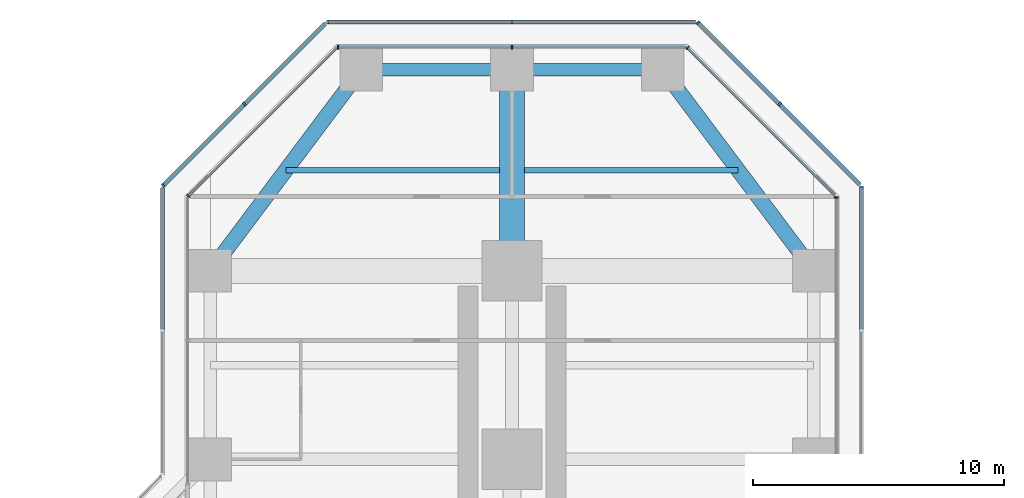
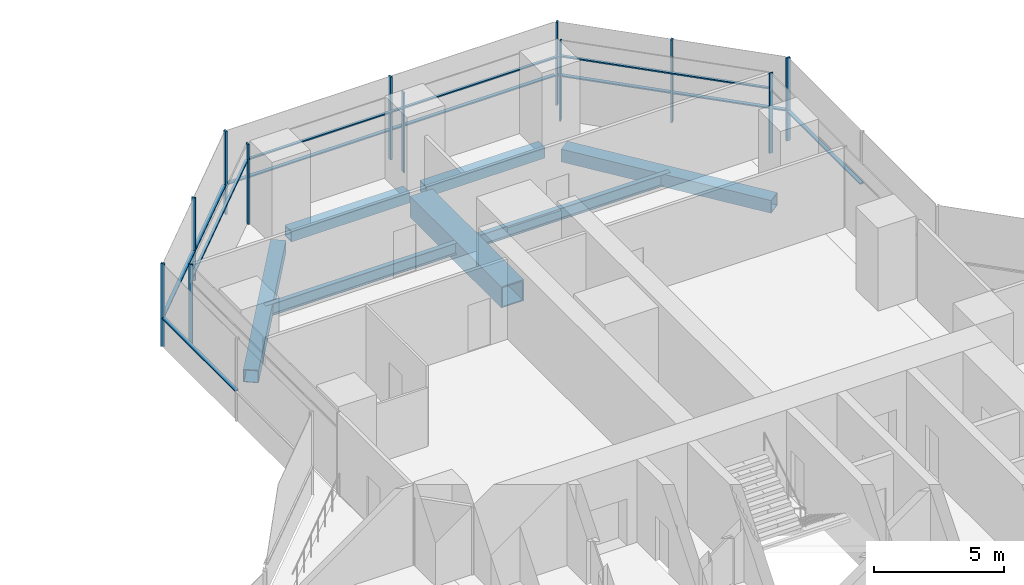
# One storey, part 13 of 22: 24 members, 7 beams, 9 elements without a shape of their own.
"""IFC4 building model written with IfcOpenShell, lengths in metres."""

from ifc_helpers import new_model, si_unit, direction, frame, origin, origin_2d, place, context, subcontext, project, spatial, rectangle, hollow_rectangle, i_section, extrude, material, material_profile, profile_set, type_object, element, aggregate, save


model = new_model("IFC4")

# Units and contexts
model_context = context("Model", 3, precision=1e-05, world=origin(), true_north=direction((0.0, 1.0)))
body_context = subcontext(model_context, "Body", "Model", "MODEL_VIEW")
ifc_project = project(units=[si_unit("LENGTHUNIT", "METRE"), si_unit("AREAUNIT", "SQUARE_METRE"), si_unit("VOLUMEUNIT", "CUBIC_METRE"), si_unit("PLANEANGLEUNIT", "RADIAN"), si_unit("MASSUNIT", "GRAM", prefix="KILO")], contexts=[model_context])

# Site, building, storey
site_placement = place(None, origin())
site = spatial("IfcSite", under=ifc_project, at=site_placement, CompositionType="ELEMENT")
building_placement = place(site_placement, origin())
building = spatial("IfcBuilding", under=site, at=building_placement, Name="Mizan Broadcast Tower", CompositionType="ELEMENT")
storey_placement = place(building_placement, frame((0.0, 0.0, 47.39990234375)))
storey = spatial("IfcBuildingStorey", under=building, at=storey_placement, Name="L08", CompositionType="ELEMENT", Elevation=47.39990234375)

# Beams
ifc_material_1 = material(Name="Steel S355", Category="steel")
ifc_material_profile_1 = material_profile(ifc_material_1, hollow_rectangle(XDim=0.5, YDim=0.5, WallThickness=0.030029296875, at=origin_2d()), Name="BOX 500x500x30")
ifc_profile_set_1 = profile_set([ifc_material_profile_1], Name="Steel S355")
beam_type_1 = type_object("IfcBeamType", Name="EDGE BEAM BOX 500x500x30", PredefinedType="SPANDREL", material=ifc_profile_set_1)
for number, where, z_axis, x_axis, name in (
    (1, (5.639892578125, 35.0, -0.3798828125), (-1.0, 0.0, 0.0), (0.0, -1.0, 0.0), "Edge beam BOX 500x500x30 L08 north arm"),
    (2, (-5.639892578125, 35.0, -0.3798828125), (1.0, 0.0, 0.0), (0.0, 1.0, 0.0), "Edge beam BOX 500x500x30 L08 north arm"),
):
    element("IfcBeam", number, at=place(storey_placement, frame(where, z_axis=z_axis, x_axis=x_axis)), inside=storey, type_object=beam_type_1, Name=name, PredefinedType="SPANDREL", context=body_context, shape_type="SweptSolid", body=[
        extrude(hollow_rectangle(XDim=0.5, YDim=0.5, WallThickness=0.030029296875, at=origin_2d()), origin(), (0.0, 0.0, 1.0), 5.27978515625),
    ])
ifc_material_2 = material(Name="Steel S355", Category="steel")
ifc_material_profile_2 = material_profile(ifc_material_2, hollow_rectangle(XDim=0.60009765625, YDim=0.60009765625, WallThickness=0.030029296875, at=origin_2d()), Name="BOX 600x600x30")
ifc_profile_set_2 = profile_set([ifc_material_profile_2], Name="Steel S355")
beam_type_2 = type_object("IfcBeamType", Name="EDGE BEAM BOX 600x600x30", PredefinedType="SPANDREL", material=ifc_profile_set_2)
for number, where, z_axis, x_axis, name in (
    (3, (11.639892578125, 27.47998046875, -0.429931640625), (-0.599982243973, 0.800013316712, 0.0), (-0.800013316712, -0.599982243973, 0.0), "Edge beam BOX 600x600x30 L08 north arm"),
    (4, (-11.639892578125, 27.47998046875, -0.429931640625), (0.599982243973, 0.800013316712, 0.0), (-0.800013316712, 0.599982243973, 0.0), "Edge beam BOX 600x600x30 L08 north arm"),
):
    element("IfcBeam", number, at=place(storey_placement, frame(where, z_axis=z_axis, x_axis=x_axis)), inside=storey, type_object=beam_type_2, Name=name, PredefinedType="SPANDREL", context=body_context, shape_type="SweptSolid", body=[
        extrude(hollow_rectangle(XDim=0.60009765625, YDim=0.60009765625, WallThickness=0.030029296875, at=origin_2d()), origin(), (0.0, 0.0, 1.0), 8.7998046875),
    ])
ifc_material_3 = material(Name="Steel S460", Category="steel")
ifc_material_profile_3 = material_profile(ifc_material_3, hollow_rectangle(XDim=1.0, YDim=1.0, WallThickness=0.06005859375, at=origin_2d()), Name="BOX 1000x1000x60")
ifc_profile_set_3 = profile_set([ifc_material_profile_3], Name="Steel S460")
beam_type_3 = type_object("IfcBeamType", Name="GIRDER BOX 1000x1000x60", PredefinedType="BEAM", material=ifc_profile_set_3)
beam_placement = place(storey_placement, frame((0.0, 27.47998046875, -0.6298828125), z_axis=(0.0, 1.0, 0.0), x_axis=(-1.0, 0.0, 0.0)))
element("IfcBeam", 5, at=beam_placement, inside=storey, type_object=beam_type_3, Name="Girder BOX 1000x1000x60 L08 north arm", PredefinedType="BEAM", context=body_context, shape_type="SweptSolid", body=[
    extrude(hollow_rectangle(XDim=1.0, YDim=1.0, WallThickness=0.06005859375, at=origin_2d()), origin(), (0.0, 0.0, 1.0), 7.0400390625),
])

# Curtain wall, member
ifc_material_4 = material(Name="Aluminium framed glazing", Category="aluminium")
curtain_wall_type_1 = type_object("IfcCurtainWallType", Name="INNER SKIN LOW ZONE", PredefinedType="USERDEFINED", material=ifc_material_4)
curtain_wall_1_placement = place(storey_placement, origin())
curtain_wall_1 = element("IfcCurtainWall", 6, at=curtain_wall_1_placement, inside=storey, type_object=curtain_wall_type_1, Name="Inner skin low zone L08 N side", ObjectType="INNER SKIN LOW ZONE", PredefinedType="USERDEFINED")
ifc_material_5 = material(Name="Aluminium, pale anodised", Category="aluminium")
ifc_material_profile_4 = material_profile(ifc_material_5, rectangle(XDim=0.159912109375, YDim=0.06005859375, at=origin_2d()), Name="MULLION 160x60")
ifc_profile_set_4 = profile_set([ifc_material_profile_4], Name="Aluminium, pale anodised")
member_type_1 = type_object("IfcMemberType", Name="INNER SKIN MULLION 60x160", PredefinedType="MULLION", material=ifc_profile_set_4)
member_1_placement = place(storey_placement, frame((12.89990234375, 29.928466796875, 0.0), z_axis=(0.0, 0.0, 1.0), x_axis=(-1.0, 0.0, 0.0)))
member_1 = element("IfcMember", 7, at=member_1_placement, type_object=member_type_1, Name="Inner skin low zone L08 N side mullion 3", PredefinedType="MULLION", context=body_context, shape_type="SweptSolid", body=[
    extrude(rectangle(XDim=0.159912109375, YDim=0.06005859375, at=origin_2d()), origin(), (0.0, 0.0, 1.0), 3.77001953125),
])
aggregate(curtain_wall_1, [member_1])

curtain_wall_2_placement = place(storey_placement, origin())
curtain_wall_2 = element("IfcCurtainWall", 8, at=curtain_wall_2_placement, inside=storey, type_object=curtain_wall_type_1, Name="Inner skin low zone L08 N chamfer", ObjectType="INNER SKIN LOW ZONE", PredefinedType="USERDEFINED")
member_2_placement = place(storey_placement, frame((6.979736328125, 35.87890625, 0.0), z_axis=(0.0, 0.0, 1.0), x_axis=(-0.707106781187, -0.707106781187, 0.0)))
member_2 = element("IfcMember", 9, at=member_2_placement, type_object=member_type_1, Name="Inner skin low zone L08 N chamfer mullion 2", PredefinedType="MULLION", context=body_context, shape_type="SweptSolid", body=[
    extrude(rectangle(XDim=0.159912109375, YDim=0.06005859375, at=origin_2d()), origin(), (0.0, 0.0, 1.0), 3.77001953125),
])

# Curtain wall, members
curtain_wall_3_placement = place(storey_placement, origin())
curtain_wall_3 = element("IfcCurtainWall", 10, at=curtain_wall_3_placement, inside=storey, type_object=curtain_wall_type_1, Name="Inner skin low zone L08 N end", ObjectType="INNER SKIN LOW ZONE", PredefinedType="USERDEFINED")
member_3_placement = place(storey_placement, frame((0.0, 35.89990234375, 0.0), z_axis=(0.0, 0.0, 1.0), x_axis=(0.0, -1.0, 0.0)))
member_3 = element("IfcMember", 11, at=member_3_placement, type_object=member_type_1, Name="Inner skin low zone L08 N end mullion 2", PredefinedType="MULLION", context=body_context, shape_type="SweptSolid", body=[
    extrude(rectangle(XDim=0.159912109375, YDim=0.06005859375, at=origin_2d()), origin(), (0.0, 0.0, 1.0), 3.77001953125),
])
member_4_placement = place(storey_placement, frame((-6.928466796875, 35.89990234375, 0.0), z_axis=(0.0, 0.0, 1.0), x_axis=(0.0, -1.0, 0.0)))
member_4 = element("IfcMember", 12, at=member_4_placement, type_object=member_type_1, Name="Inner skin low zone L08 N end mullion 3", PredefinedType="MULLION", context=body_context, shape_type="SweptSolid", body=[
    extrude(rectangle(XDim=0.159912109375, YDim=0.06005859375, at=origin_2d()), origin(), (0.0, 0.0, 1.0), 3.77001953125),
])

# Curtain wall, member
curtain_wall_4_placement = place(storey_placement, origin())
curtain_wall_4 = element("IfcCurtainWall", 13, at=curtain_wall_4_placement, inside=storey, type_object=curtain_wall_type_1, Name="Inner skin low zone L08 N chamfer", ObjectType="INNER SKIN LOW ZONE", PredefinedType="USERDEFINED")
member_5_placement = place(storey_placement, frame((-12.87890625, 29.979736328125, 0.0), z_axis=(0.0, 0.0, 1.0), x_axis=(0.707106781187, -0.707106781187, 0.0)))
member_5 = element("IfcMember", 14, at=member_5_placement, type_object=member_type_1, Name="Inner skin low zone L08 N chamfer mullion 2", PredefinedType="MULLION", context=body_context, shape_type="SweptSolid", body=[
    extrude(rectangle(XDim=0.159912109375, YDim=0.06005859375, at=origin_2d()), origin(), (0.0, 0.0, 1.0), 3.77001953125),
])

# Member
ifc_material_6 = material(Name="Aluminium, pale anodised", Category="aluminium")
ifc_material_profile_5 = material_profile(ifc_material_6, rectangle(XDim=0.1201171875, YDim=0.06005859375, at=origin_2d()), Name="TRANSOM 120x60")
ifc_profile_set_5 = profile_set([ifc_material_profile_5], Name="Aluminium, pale anodised")
member_type_2 = type_object("IfcMemberType", Name="INNER SKIN TRANSOM 60x120", PredefinedType="USERDEFINED", material=ifc_profile_set_5)
member_6_placement = place(storey_placement, frame((12.857666015625, 30.0009765625, 3.030029296875), z_axis=(-0.707106781187, 0.707106781187, 0.0), x_axis=(-0.707106781187, -0.707106781187, 0.0)))
member_6 = element("IfcMember", 15, at=member_6_placement, type_object=member_type_2, Name="Inner skin low zone L08 N chamfer transom 1.1", ObjectType="TRANSOM", PredefinedType="USERDEFINED", context=body_context, shape_type="SweptSolid", body=[
    extrude(rectangle(XDim=0.1201171875, YDim=0.06005859375, at=origin_2d()), origin(), (0.0, 0.0, 1.0), 8.28271484375),
])

aggregate(curtain_wall_2, [member_2, member_6])

member_7_placement = place(storey_placement, frame((6.898681640625, 35.89990234375, 3.030029296875), z_axis=(-1.0, 0.0, 0.0), x_axis=(0.0, -1.0, 0.0)))
member_7 = element("IfcMember", 16, at=member_7_placement, type_object=member_type_2, Name="Inner skin low zone L08 N end transom 1.1", ObjectType="TRANSOM", PredefinedType="USERDEFINED", context=body_context, shape_type="SweptSolid", body=[
    extrude(rectangle(XDim=0.1201171875, YDim=0.06005859375, at=origin_2d()), origin(), (0.0, 0.0, 1.0), 6.86865234375),
])

member_8_placement = place(storey_placement, frame((-0.030029296875, 35.89990234375, 3.030029296875), z_axis=(-1.0, 0.0, 0.0), x_axis=(0.0, -1.0, 0.0)))
member_8 = element("IfcMember", 17, at=member_8_placement, type_object=member_type_2, Name="Inner skin low zone L08 N end transom 2.1", ObjectType="TRANSOM", PredefinedType="USERDEFINED", context=body_context, shape_type="SweptSolid", body=[
    extrude(rectangle(XDim=0.1201171875, YDim=0.06005859375, at=origin_2d()), origin(), (0.0, 0.0, 1.0), 6.86865234375),
])

aggregate(curtain_wall_3, [member_3, member_4, member_7, member_8])

member_9_placement = place(storey_placement, frame((-7.0009765625, 35.857666015625, 3.030029296875), z_axis=(-0.707106781187, -0.707106781187, 0.0), x_axis=(0.707106781187, -0.707106781187, 0.0)))
member_9 = element("IfcMember", 18, at=member_9_placement, type_object=member_type_2, Name="Inner skin low zone L08 N chamfer transom 1.1", ObjectType="TRANSOM", PredefinedType="USERDEFINED", context=body_context, shape_type="SweptSolid", body=[
    extrude(rectangle(XDim=0.1201171875, YDim=0.06005859375, at=origin_2d()), origin(), (0.0, 0.0, 1.0), 8.28271484375),
])

aggregate(curtain_wall_4, [member_5, member_9])

# Curtain wall, member
ifc_material_7 = material(Name="Aluminium framed glazing", Category="aluminium")
curtain_wall_type_2 = type_object("IfcCurtainWallType", Name="OUTER SKIN", PredefinedType="USERDEFINED", material=ifc_material_7)
curtain_wall_5_placement = place(storey_placement, origin())
curtain_wall_5 = element("IfcCurtainWall", 19, at=curtain_wall_5_placement, inside=storey, type_object=curtain_wall_type_2, Name="Outer skin L08 N side", ObjectType="OUTER SKIN", PredefinedType="USERDEFINED")
ifc_material_8 = material(Name="Aluminium, pale anodised", Category="aluminium")
ifc_material_profile_6 = material_profile(ifc_material_8, rectangle(XDim=0.159912109375, YDim=0.080078125, at=origin_2d()), Name="MULLION 160x80")
ifc_profile_set_6 = profile_set([ifc_material_profile_6], Name="Aluminium, pale anodised")
member_type_3 = type_object("IfcMemberType", Name="OUTER SKIN MULLION 80x160", PredefinedType="MULLION", material=ifc_profile_set_6)
member_10_placement = place(storey_placement, frame((13.89990234375, 30.332763671875, 0.0), z_axis=(0.0, 0.0, 1.0), x_axis=(-1.0, 0.0, 0.0)))
member_10 = element("IfcMember", 20, at=member_10_placement, type_object=member_type_3, Name="Outer skin L08 N side mullion 3", PredefinedType="MULLION", context=body_context, shape_type="SweptSolid", body=[
    extrude(rectangle(XDim=0.159912109375, YDim=0.080078125, at=origin_2d()), origin(), (0.0, 0.0, 1.0), 3.900146484375),
])

# Curtain wall, members
curtain_wall_6_placement = place(storey_placement, origin())
curtain_wall_6 = element("IfcCurtainWall", 21, at=curtain_wall_6_placement, inside=storey, type_object=curtain_wall_type_2, Name="Outer skin L08 N chamfer", ObjectType="OUTER SKIN", PredefinedType="USERDEFINED")
member_11_placement = place(storey_placement, frame((10.636474609375, 33.636474609375, 0.0), z_axis=(0.0, 0.0, 1.0), x_axis=(-0.707106781187, -0.707106781187, 0.0)))
member_11 = element("IfcMember", 22, at=member_11_placement, type_object=member_type_3, Name="Outer skin L08 N chamfer mullion 2", PredefinedType="MULLION", context=body_context, shape_type="SweptSolid", body=[
    extrude(rectangle(XDim=0.159912109375, YDim=0.080078125, at=origin_2d()), origin(), (0.0, 0.0, 1.0), 3.900146484375),
])
member_12_placement = place(storey_placement, frame((7.401123046875, 36.871826171875, 0.0), z_axis=(0.0, 0.0, 1.0), x_axis=(-0.707106781187, -0.707106781187, 0.0)))
member_12 = element("IfcMember", 23, at=member_12_placement, type_object=member_type_3, Name="Outer skin L08 N chamfer mullion 3", PredefinedType="MULLION", context=body_context, shape_type="SweptSolid", body=[
    extrude(rectangle(XDim=0.159912109375, YDim=0.080078125, at=origin_2d()), origin(), (0.0, 0.0, 1.0), 3.900146484375),
])

curtain_wall_7_placement = place(storey_placement, origin())
curtain_wall_7 = element("IfcCurtainWall", 24, at=curtain_wall_7_placement, inside=storey, type_object=curtain_wall_type_2, Name="Outer skin L08 N end", ObjectType="OUTER SKIN", PredefinedType="USERDEFINED")
member_13_placement = place(storey_placement, frame((0.0, 36.89990234375, 0.0), z_axis=(0.0, 0.0, 1.0), x_axis=(0.0, -1.0, 0.0)))
member_13 = element("IfcMember", 25, at=member_13_placement, type_object=member_type_3, Name="Outer skin L08 N end mullion 2", PredefinedType="MULLION", context=body_context, shape_type="SweptSolid", body=[
    extrude(rectangle(XDim=0.159912109375, YDim=0.080078125, at=origin_2d()), origin(), (0.0, 0.0, 1.0), 3.900146484375),
])
member_14_placement = place(storey_placement, frame((-7.332763671875, 36.89990234375, 0.0), z_axis=(0.0, 0.0, 1.0), x_axis=(0.0, -1.0, 0.0)))
member_14 = element("IfcMember", 26, at=member_14_placement, type_object=member_type_3, Name="Outer skin L08 N end mullion 3", PredefinedType="MULLION", context=body_context, shape_type="SweptSolid", body=[
    extrude(rectangle(XDim=0.159912109375, YDim=0.080078125, at=origin_2d()), origin(), (0.0, 0.0, 1.0), 3.900146484375),
])

curtain_wall_8_placement = place(storey_placement, origin())
curtain_wall_8 = element("IfcCurtainWall", 27, at=curtain_wall_8_placement, inside=storey, type_object=curtain_wall_type_2, Name="Outer skin L08 N chamfer", ObjectType="OUTER SKIN", PredefinedType="USERDEFINED")
member_15_placement = place(storey_placement, frame((-10.636474609375, 33.636474609375, 0.0), z_axis=(0.0, 0.0, 1.0), x_axis=(0.707106781187, -0.707106781187, 0.0)))
member_15 = element("IfcMember", 28, at=member_15_placement, type_object=member_type_3, Name="Outer skin L08 N chamfer mullion 2", PredefinedType="MULLION", context=body_context, shape_type="SweptSolid", body=[
    extrude(rectangle(XDim=0.159912109375, YDim=0.080078125, at=origin_2d()), origin(), (0.0, 0.0, 1.0), 3.900146484375),
])
member_16_placement = place(storey_placement, frame((-13.871826171875, 30.401123046875, 0.0), z_axis=(0.0, 0.0, 1.0), x_axis=(0.707106781187, -0.707106781187, 0.0)))
member_16 = element("IfcMember", 29, at=member_16_placement, type_object=member_type_3, Name="Outer skin L08 N chamfer mullion 3", PredefinedType="MULLION", context=body_context, shape_type="SweptSolid", body=[
    extrude(rectangle(XDim=0.159912109375, YDim=0.080078125, at=origin_2d()), origin(), (0.0, 0.0, 1.0), 3.900146484375),
])

# Member
ifc_material_9 = material(Name="Aluminium, pale anodised", Category="aluminium")
ifc_material_profile_7 = material_profile(ifc_material_9, rectangle(XDim=0.159912109375, YDim=0.06005859375, at=origin_2d()), Name="TRANSOM 160x60")
ifc_profile_set_7 = profile_set([ifc_material_profile_7], Name="Aluminium, pale anodised")
member_type_4 = type_object("IfcMemberType", Name="OUTER SKIN TRANSOM 60x160", PredefinedType="USERDEFINED", material=ifc_profile_set_7)
member_17_placement = place(storey_placement, frame((13.89990234375, 24.662841796875, 1.400146484375), z_axis=(0.0, 1.0, 0.0), x_axis=(-1.0, 0.0, 0.0)))
member_17 = element("IfcMember", 30, at=member_17_placement, type_object=member_type_4, Name="Outer skin L08 N side transom 2.1", ObjectType="TRANSOM", PredefinedType="USERDEFINED", context=body_context, shape_type="SweptSolid", body=[
    extrude(rectangle(XDim=0.159912109375, YDim=0.06005859375, at=origin_2d()), origin(), (0.0, 0.0, 1.0), 5.6298828125),
])

aggregate(curtain_wall_5, [member_10, member_17])

member_18_placement = place(storey_placement, frame((13.843505859375, 30.429443359375, 1.400146484375), z_axis=(-0.707106781187, 0.707106781187, 0.0), x_axis=(-0.707106781187, -0.707106781187, 0.0)))
member_18 = element("IfcMember", 31, at=member_18_placement, type_object=member_type_4, Name="Outer skin L08 N chamfer transom 1.1", ObjectType="TRANSOM", PredefinedType="USERDEFINED", context=body_context, shape_type="SweptSolid", body=[
    extrude(rectangle(XDim=0.159912109375, YDim=0.06005859375, at=origin_2d()), origin(), (0.0, 0.0, 1.0), 4.495361328125),
])

member_19_placement = place(storey_placement, frame((10.608154296875, 33.664794921875, 1.400146484375), z_axis=(-0.707106781187, 0.707106781187, 0.0), x_axis=(-0.707106781187, -0.707106781187, 0.0)))
member_19 = element("IfcMember", 32, at=member_19_placement, type_object=member_type_4, Name="Outer skin L08 N chamfer transom 2.1", ObjectType="TRANSOM", PredefinedType="USERDEFINED", context=body_context, shape_type="SweptSolid", body=[
    extrude(rectangle(XDim=0.159912109375, YDim=0.06005859375, at=origin_2d()), origin(), (0.0, 0.0, 1.0), 4.495361328125),
])

aggregate(curtain_wall_6, [member_11, member_12, member_18, member_19])

member_20_placement = place(storey_placement, frame((7.292724609375, 36.89990234375, 1.400146484375), z_axis=(-1.0, 0.0, 0.0), x_axis=(0.0, -1.0, 0.0)))
member_20 = element("IfcMember", 33, at=member_20_placement, type_object=member_type_4, Name="Outer skin L08 N end transom 1.1", ObjectType="TRANSOM", PredefinedType="USERDEFINED", context=body_context, shape_type="SweptSolid", body=[
    extrude(rectangle(XDim=0.159912109375, YDim=0.06005859375, at=origin_2d()), origin(), (0.0, 0.0, 1.0), 7.252685546875),
])

member_21_placement = place(storey_placement, frame((-0.0400390625, 36.89990234375, 1.400146484375), z_axis=(-1.0, 0.0, 0.0), x_axis=(0.0, -1.0, 0.0)))
member_21 = element("IfcMember", 34, at=member_21_placement, type_object=member_type_4, Name="Outer skin L08 N end transom 2.1", ObjectType="TRANSOM", PredefinedType="USERDEFINED", context=body_context, shape_type="SweptSolid", body=[
    extrude(rectangle(XDim=0.159912109375, YDim=0.06005859375, at=origin_2d()), origin(), (0.0, 0.0, 1.0), 7.252685546875),
])

aggregate(curtain_wall_7, [member_13, member_14, member_20, member_21])

member_22_placement = place(storey_placement, frame((-7.429443359375, 36.843505859375, 1.400146484375), z_axis=(-0.707106781187, -0.707106781187, 0.0), x_axis=(0.707106781187, -0.707106781187, 0.0)))
member_22 = element("IfcMember", 35, at=member_22_placement, type_object=member_type_4, Name="Outer skin L08 N chamfer transom 1.1", ObjectType="TRANSOM", PredefinedType="USERDEFINED", context=body_context, shape_type="SweptSolid", body=[
    extrude(rectangle(XDim=0.159912109375, YDim=0.06005859375, at=origin_2d()), origin(), (0.0, 0.0, 1.0), 4.495361328125),
])

member_23_placement = place(storey_placement, frame((-10.664794921875, 33.608154296875, 1.400146484375), z_axis=(-0.707106781187, -0.707106781187, 0.0), x_axis=(0.707106781187, -0.707106781187, 0.0)))
member_23 = element("IfcMember", 36, at=member_23_placement, type_object=member_type_4, Name="Outer skin L08 N chamfer transom 2.1", ObjectType="TRANSOM", PredefinedType="USERDEFINED", context=body_context, shape_type="SweptSolid", body=[
    extrude(rectangle(XDim=0.159912109375, YDim=0.06005859375, at=origin_2d()), origin(), (0.0, 0.0, 1.0), 4.495361328125),
])

aggregate(curtain_wall_8, [member_15, member_16, member_22, member_23])

# Curtain wall, member
curtain_wall_9_placement = place(storey_placement, origin())
curtain_wall_9 = element("IfcCurtainWall", 37, at=curtain_wall_9_placement, inside=storey, type_object=curtain_wall_type_2, Name="Outer skin L08 N side", ObjectType="OUTER SKIN", PredefinedType="USERDEFINED")
member_24_placement = place(storey_placement, frame((-13.89990234375, 30.292724609375, 1.400146484375), z_axis=(0.0, -1.0, 0.0), x_axis=(1.0, 0.0, 0.0)))
member_24 = element("IfcMember", 38, at=member_24_placement, type_object=member_type_4, Name="Outer skin L08 N side transom 1.1", ObjectType="TRANSOM", PredefinedType="USERDEFINED", context=body_context, shape_type="SweptSolid", body=[
    extrude(rectangle(XDim=0.159912109375, YDim=0.06005859375, at=origin_2d()), origin(), (0.0, 0.0, 1.0), 5.6298828125),
])
aggregate(curtain_wall_9, [member_24])

# Beams
ifc_material_10 = material(Name="Steel S355", Category="steel")
ifc_material_profile_8 = material_profile(ifc_material_10, i_section(OverallWidth=0.2099609375, OverallDepth=0.550048828125, WebThickness=0.010986328125, FlangeThickness=0.01708984375, FilletRadius=0.02392578125, at=origin_2d()), Name="IPE 550")
ifc_profile_set_8 = profile_set([ifc_material_profile_8], Name="Steel S355")
beam_type_4 = type_object("IfcBeamType", Name="SECONDARY BEAM IPE 550", PredefinedType="JOIST", material=ifc_profile_set_8)
for number, where, z_axis, x_axis, name in (
    (39, (9.0, 31.0, -0.40478515625), (-1.0, 0.0, 0.0), (0.0, -1.0, 0.0), "Secondary beam IPE 550 L08 north arm"),
    (40, (-9.0, 31.0, -0.40478515625), (1.0, 0.0, 0.0), (0.0, 1.0, 0.0), "Secondary beam IPE 550 L08 north arm"),
):
    element("IfcBeam", number, at=place(storey_placement, frame(where, z_axis=z_axis, x_axis=x_axis)), inside=storey, type_object=beam_type_4, Name=name, PredefinedType="JOIST", context=body_context, shape_type="SweptSolid", body=[
        extrude(i_section(OverallWidth=0.2099609375, OverallDepth=0.550048828125, WebThickness=0.010986328125, FlangeThickness=0.01708984375, FilletRadius=0.02392578125, at=origin_2d()), origin(), (0.0, 0.0, 1.0), 8.5),
    ])

save(model, "model.ifc")
